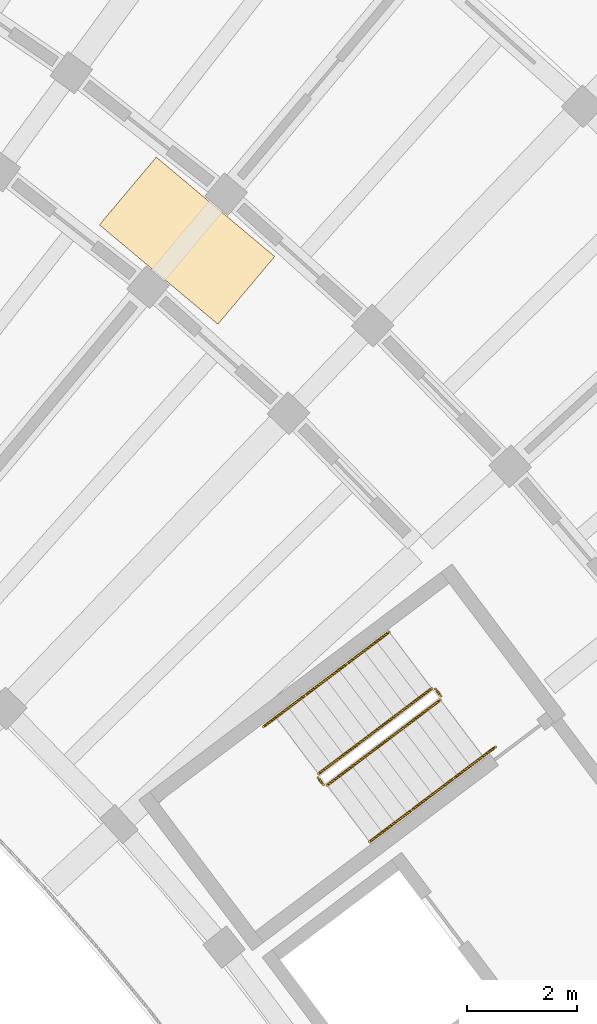
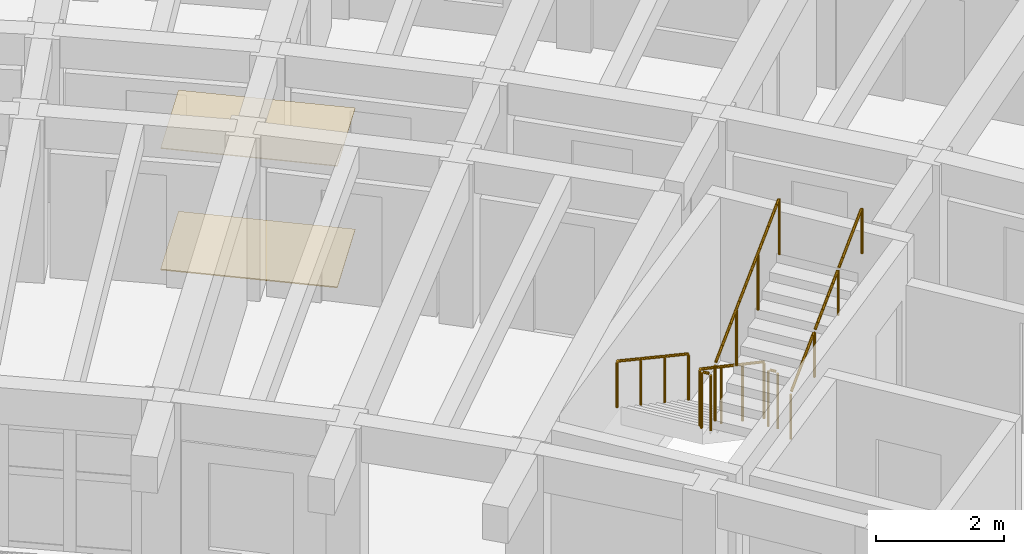
# One storey, part 66 of 69: 10 railings, 2 coverings.
"""IFC4 building model written with IfcOpenShell, lengths in metres."""

from ifc_helpers import new_model, si_unit, direction, frame, origin, origin_2d, place, context, subcontext, project, spatial, rectangle, circle, extrude, material, layer, layer_set, type_object, element, save


model = new_model("IFC4")

# Units and contexts
model_context = context("Model", 3, precision=1e-05, world=origin(), true_north=direction((0.0, 1.0)))
body_context = subcontext(model_context, "Body", "Model", "MODEL_VIEW")
ifc_project = project(units=[si_unit("LENGTHUNIT", "METRE"), si_unit("AREAUNIT", "SQUARE_METRE"), si_unit("VOLUMEUNIT", "CUBIC_METRE"), si_unit("PLANEANGLEUNIT", "RADIAN"), si_unit("MASSUNIT", "GRAM", prefix="KILO")], contexts=[model_context])

# Site, building, storey
site_placement = place(None, origin())
site = spatial("IfcSite", under=ifc_project, at=site_placement, CompositionType="ELEMENT")
building_placement = place(site_placement, origin())
building = spatial("IfcBuilding", under=site, at=building_placement, Name="Tanwirah Colonnade Gardens", CompositionType="ELEMENT")
storey_placement = place(building_placement, frame((0.0, 0.0, 15.56005859375)))
storey = spatial("IfcBuildingStorey", under=building, at=storey_placement, Name="L04", CompositionType="ELEMENT", Elevation=15.56005859375)

# Coverings
ifc_material_1 = material(Name="Acoustic perforated gypsum ceiling board")
ifc_layer_1 = layer(ifc_material_1, 0.014892578125)
ifc_layer_set_1 = layer_set([ifc_layer_1], Name="Acoustic perforated gypsum ceiling board")
covering_type_1 = type_object("IfcCoveringType", Name="COV-CEIL15", PredefinedType="CEILING", material=ifc_layer_set_1)
covering_1_placement = place(storey_placement, frame((155.03564453125, 100.761962890625, 2.3125), z_axis=(0.0, 0.0, 1.0), x_axis=(-0.766044443119, 0.642787609687, 0.0)))
element("IfcCovering", 1, at=covering_1_placement, inside=storey, type_object=covering_type_1, Name="Block B L04 Corridor Acoustic Ceiling", PredefinedType="CEILING", context=body_context, shape_type="SweptSolid", body=[
    extrude(rectangle(XDim=2.800048828125, YDim=1.60009765625, at=origin_2d()), origin(), (0.0, 0.0, 1.0), 0.014892578125),
])
ifc_material_2 = material(Name="Honed Abu Dhabi limestone terrazzo flooring", Category="masonry")
ifc_layer_2 = layer(ifc_material_2, 0.02001953125)
ifc_layer_set_2 = layer_set([ifc_layer_2], Name="Honed Abu Dhabi limestone terrazzo flooring")
covering_type_2 = type_object("IfcCoveringType", Name="COV-FLR20", PredefinedType="FLOORING", material=ifc_layer_set_2)
covering_2_placement = place(storey_placement, frame((155.03564453125, 100.761962890625, 0.0), z_axis=(0.0, 0.0, 1.0), x_axis=(-0.766044443119, 0.642787609687, 0.0)))
element("IfcCovering", 2, at=covering_2_placement, inside=storey, type_object=covering_type_2, Name="Block B L04 Corridor Terrazzo Flooring", PredefinedType="FLOORING", context=body_context, shape_type="SweptSolid", body=[
    extrude(rectangle(XDim=2.800048828125, YDim=1.60009765625, at=origin_2d()), origin(), (0.0, 0.0, 1.0), 0.02001953125),
])

# Railings
ifc_material_3 = material(Name="Powder-coated galvanized steel", Category="steel")
railing_type_1 = type_object("IfcRailingType", Name="GRD-ST110", PredefinedType="GUARDRAIL", material=ifc_material_3)
railing_1_placement = place(storey_placement, frame((159.46435546875, 92.6533203125, 0.16796875)))
element("IfcRailing", 3, at=railing_1_placement, inside=storey, type_object=railing_type_1, Name="L04 ST-B1 stair guard 1", PredefinedType="GUARDRAIL", context=body_context, shape_type="SweptSolid", body=[
    extrude(circle(Radius=0.02392578125, at=origin_2d()), frame((-0.021484375, -0.01611328125, 1.092041015625), z_axis=(-0.687998426946, -0.518417885, 0.507839601678), x_axis=(0.601795686627, -0.798650080797, 0.0)), (0.0, 0.0, 1.0), 2.914794921875),
    extrude(circle(Radius=0.02099609375, at=origin_2d()), origin(), (0.0, 0.0, 1.0), 1.049072265625),
    extrude(circle(Radius=0.02099609375, at=origin_2d()), frame((-0.682861328125, -0.514404296875, 0.50390625)), (0.0, 0.0, 1.0), 1.049072265625),
    extrude(circle(Radius=0.02099609375, at=origin_2d()), frame((-1.365478515625, -1.029052734375, 1.008056640625)), (0.0, 0.0, 1.0), 1.049072265625),
    extrude(circle(Radius=0.02099609375, at=origin_2d()), frame((-2.04833984375, -1.54345703125, 1.511962890625)), (0.0, 0.0, 1.0), 1.049072265625),
])
railing_2_placement = place(storey_placement, frame((157.406005859375, 91.039794921875, 1.679931640625)))
element("IfcRailing", 4, at=railing_2_placement, inside=storey, type_object=railing_type_1, Name="L04 ST-B1 stair guard 2", PredefinedType="GUARDRAIL", context=body_context, shape_type="SweptSolid", body=[
    extrude(circle(Radius=0.02392578125, at=origin_2d()), frame((0.018798828125, -0.02490234375, 1.076171875), z_axis=(0.601948835455, -0.798534657667, 0.0), x_axis=(0.798534657667, 0.601948835455, 0.0)), (0.0, 0.0, 1.0), 0.09765625),
    extrude(circle(Radius=0.02099609375, at=origin_2d()), origin(), (0.0, 0.0, 1.0), 1.049072265625),
    extrude(circle(Radius=0.02099609375, at=origin_2d()), frame((0.096435546875, -0.1279296875, 0.0)), (0.0, 0.0, 1.0), 1.049072265625),
])
railing_3_placement = place(storey_placement, frame((157.572265625, 90.902099609375, 1.847900390625)))
element("IfcRailing", 5, at=railing_3_placement, inside=storey, type_object=railing_type_1, Name="L04 ST-B1 stair guard 3", PredefinedType="GUARDRAIL", context=body_context, shape_type="SweptSolid", body=[
    extrude(circle(Radius=0.02392578125, at=origin_2d()), frame((0.021484375, 0.01611328125, 1.092041015625), z_axis=(0.688012363654, 0.518448596756, 0.507789365762), x_axis=(-0.601810650199, 0.798638805285, 0.0)), (0.0, 0.0, 1.0), 2.9150390625),
    extrude(circle(Radius=0.02099609375, at=origin_2d()), origin(), (0.0, 0.0, 1.0), 1.049072265625),
    extrude(circle(Radius=0.02099609375, at=origin_2d()), frame((0.682861328125, 0.5146484375, 0.50390625)), (0.0, 0.0, 1.0), 1.049072265625),
    extrude(circle(Radius=0.02099609375, at=origin_2d()), frame((1.36572265625, 1.029052734375, 1.008056640625)), (0.0, 0.0, 1.0), 1.049072265625),
    extrude(circle(Radius=0.02099609375, at=origin_2d()), frame((2.048583984375, 1.543701171875, 1.511962890625)), (0.0, 0.0, 1.0), 1.049072265625),
])
railing_4_placement = place(storey_placement, frame((159.534423828125, 92.6435546875, 0.0)))
element("IfcRailing", 6, at=railing_4_placement, inside=storey, type_object=railing_type_1, Name="L04 ST-B1 stair guard 4", PredefinedType="GUARDRAIL", context=body_context, shape_type="SweptSolid", body=[
    extrude(circle(Radius=0.02392578125, at=origin_2d()), frame((0.018798828125, -0.02490234375, 1.076171875), z_axis=(0.601709070646, -0.798715339969, 0.0), x_axis=(0.798715339969, 0.601709070646, 0.0)), (0.0, 0.0, 1.0), 0.097412109375),
    extrude(circle(Radius=0.02099609375, at=origin_2d()), origin(), (0.0, 0.0, 1.0), 1.049072265625),
    extrude(circle(Radius=0.02099609375, at=origin_2d()), frame((0.09619140625, -0.127685546875, 0.0)), (0.0, 0.0, 1.0), 1.049072265625),
])
ifc_material_4 = material(Name="Brushed bronze stainless steel", Category="steel")
railing_type_2 = type_object("IfcRailingType", Name="HR-ST090", PredefinedType="HANDRAIL", material=ifc_material_4)
railing_5_placement = place(storey_placement, frame((158.694091796875, 93.67578125, 0.16796875)))
element("IfcRailing", 7, at=railing_5_placement, inside=storey, type_object=railing_type_2, Name="L04 ST-B1 stair handrail 1", PredefinedType="HANDRAIL", context=body_context, shape_type="SweptSolid", body=[
    extrude(circle(Radius=0.02392578125, at=origin_2d()), frame((-0.021484375, -0.01611328125, 0.891845703125), z_axis=(-0.686145346169, -0.517037451972, 0.51173903231), x_axis=(0.601807485929, -0.798641189696, 0.0)), (0.0, 0.0, 1.0), 1.04345703125),
    extrude(circle(Radius=0.02099609375, at=origin_2d()), origin(), (0.0, 0.0, 1.0), 0.848876953125),
    extrude(circle(Radius=0.02099609375, at=origin_2d()), frame((-0.7587890625, -0.57177734375, 0.56591796875)), (0.0, 0.0, 1.0), 0.848876953125),
])
railing_6_placement = place(storey_placement, frame((157.935302734375, 93.10400390625, 0.73388671875)))
element("IfcRailing", 8, at=railing_6_placement, inside=storey, type_object=railing_type_2, Name="L04 ST-B1 stair handrail 2", PredefinedType="HANDRAIL", context=body_context, shape_type="SweptSolid", body=[
    extrude(circle(Radius=0.02392578125, at=origin_2d()), frame((-0.021484375, -0.01611328125, 0.891845703125), z_axis=(-0.685950957095, -0.517057335538, 0.511979488092), x_axis=(0.601931007785, -0.798548096152, 0.0)), (0.0, 0.0, 1.0), 1.043212890625),
    extrude(circle(Radius=0.02099609375, at=origin_2d()), origin(), (0.0, 0.0, 1.0), 0.848876953125),
    extrude(circle(Radius=0.02099609375, at=origin_2d()), frame((-0.758544921875, -0.57177734375, 0.566162109375)), (0.0, 0.0, 1.0), 0.848876953125),
])
railing_7_placement = place(storey_placement, frame((157.1767578125, 92.5322265625, 1.300048828125)))
element("IfcRailing", 9, at=railing_7_placement, inside=storey, type_object=railing_type_2, Name="L04 ST-B1 stair handrail 3", PredefinedType="HANDRAIL", context=body_context, shape_type="SweptSolid", body=[
    extrude(circle(Radius=0.02392578125, at=origin_2d()), frame((-0.021484375, -0.01611328125, 0.891845703125), z_axis=(-0.686145346169, -0.517037451972, 0.51173903231), x_axis=(0.601807485929, -0.798641189696, 0.0)), (0.0, 0.0, 1.0), 1.04345703125),
    extrude(circle(Radius=0.02099609375, at=origin_2d()), origin(), (0.0, 0.0, 1.0), 0.848876953125),
    extrude(circle(Radius=0.02099609375, at=origin_2d()), frame((-0.7587890625, -0.57177734375, 0.56591796875)), (0.0, 0.0, 1.0), 0.848876953125),
])
railing_8_placement = place(storey_placement, frame((158.3427734375, 89.8798828125, 1.847900390625)))
element("IfcRailing", 10, at=railing_8_placement, inside=storey, type_object=railing_type_2, Name="L04 ST-B1 stair handrail 4", PredefinedType="HANDRAIL", context=body_context, shape_type="SweptSolid", body=[
    extrude(circle(Radius=0.02392578125, at=origin_2d()), frame((0.021484375, 0.01611328125, 0.891845703125), z_axis=(0.685950957095, 0.517057335538, 0.511979488092), x_axis=(-0.601931007785, 0.798548096152, 0.0)), (0.0, 0.0, 1.0), 1.043212890625),
    extrude(circle(Radius=0.02099609375, at=origin_2d()), origin(), (0.0, 0.0, 1.0), 0.848876953125),
    extrude(circle(Radius=0.02099609375, at=origin_2d()), frame((0.758544921875, 0.57177734375, 0.566162109375)), (0.0, 0.0, 1.0), 0.848876953125),
])
railing_9_placement = place(storey_placement, frame((159.101318359375, 90.45166015625, 2.4140625)))
element("IfcRailing", 11, at=railing_9_placement, inside=storey, type_object=railing_type_2, Name="L04 ST-B1 stair handrail 5", PredefinedType="HANDRAIL", context=body_context, shape_type="SweptSolid", body=[
    extrude(circle(Radius=0.02392578125, at=origin_2d()), frame((0.021484375, 0.01611328125, 0.891845703125), z_axis=(0.686145346169, 0.517037451972, 0.51173903231), x_axis=(-0.601807485929, 0.798641189696, 0.0)), (0.0, 0.0, 1.0), 1.04345703125),
    extrude(circle(Radius=0.02099609375, at=origin_2d()), origin(), (0.0, 0.0, 1.0), 0.848876953125),
    extrude(circle(Radius=0.02099609375, at=origin_2d()), frame((0.7587890625, 0.57177734375, 0.56591796875)), (0.0, 0.0, 1.0), 0.848876953125),
])
railing_10_placement = place(storey_placement, frame((159.860107421875, 91.0234375, 2.97998046875)))
element("IfcRailing", 12, at=railing_10_placement, inside=storey, type_object=railing_type_2, Name="L04 ST-B1 stair handrail 6", PredefinedType="HANDRAIL", context=body_context, shape_type="SweptSolid", body=[
    extrude(circle(Radius=0.02392578125, at=origin_2d()), frame((0.021484375, 0.01611328125, 0.891845703125), z_axis=(0.686223662955, 0.51687567406, 0.51179744232), x_axis=(-0.601643549736, 0.798764695677, 0.0)), (0.0, 0.0, 1.0), 1.043212890625),
    extrude(circle(Radius=0.02099609375, at=origin_2d()), origin(), (0.0, 0.0, 1.0), 0.848876953125),
    extrude(circle(Radius=0.02099609375, at=origin_2d()), frame((0.7587890625, 0.571533203125, 0.56591796875)), (0.0, 0.0, 1.0), 0.848876953125),
])

save(model, "model.ifc")
